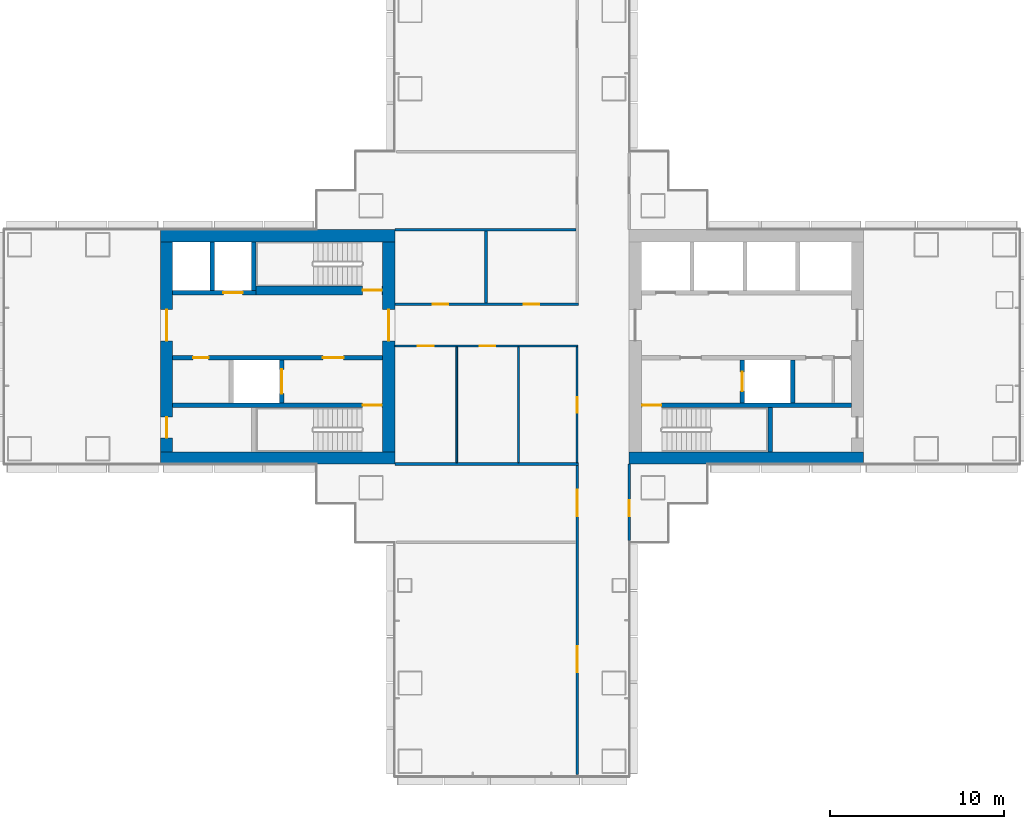
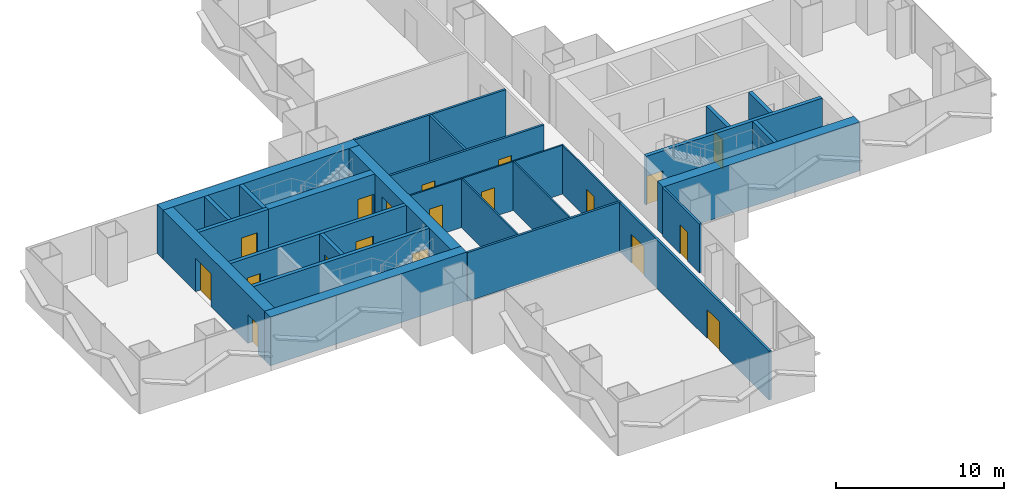
# One storey, part 13 of 21: 26 walls, 19 doors, 19 openings.
"""IFC4 building model written with IfcOpenShell, lengths in metres."""

from ifc_helpers import new_model, si_unit, direction, frame, frame_2d, origin, place, context, subcontext, project, spatial, rectangle, extrude, material, layer, layer_set, type_object, element, fill, save


model = new_model("IFC4")

# Units and contexts
model_context = context("Model", 3, precision=1e-05, world=origin(), true_north=direction((0.0, 1.0)))
body_context = subcontext(model_context, "Body", "Model", "MODEL_VIEW")
ifc_project = project(units=[si_unit("LENGTHUNIT", "METRE"), si_unit("AREAUNIT", "SQUARE_METRE"), si_unit("VOLUMEUNIT", "CUBIC_METRE"), si_unit("PLANEANGLEUNIT", "RADIAN"), si_unit("MASSUNIT", "GRAM", prefix="KILO")], contexts=[model_context])

# Site, building, storey
site_placement = place(None, origin())
site = spatial("IfcSite", under=ifc_project, at=site_placement, CompositionType="ELEMENT")
building_placement = place(site_placement, origin())
building = spatial("IfcBuilding", under=site, at=building_placement, Name="Shamsa Quay Exchange Towers", CompositionType="ELEMENT")
storey_placement = place(building_placement, frame((0.0, 0.0, 57.60009765625)))
storey = spatial("IfcBuildingStorey", under=building, at=storey_placement, Name="L12", CompositionType="ELEMENT", Elevation=57.60009765625)

# Walls
ifc_material_1 = material(Name="Concrete C80/95", Category="concrete")
ifc_layer_1 = layer(ifc_material_1, 0.699951171875)
ifc_layer_set_1 = layer_set([ifc_layer_1], Name="CORE WALL 700 C80/95")
wall_type_1 = type_object("IfcWallType", Name="CORE WALL 700 C80/95", PredefinedType="SHEAR", material=ifc_layer_set_1)
wall_1_placement = place(storey_placement, frame((-27.0, -6.39990234375, 0.0)))
element("IfcWall", 1, at=wall_1_placement, inside=storey, type_object=wall_type_1, Name="Core wall T1A-R05-PS", PredefinedType="SHEAR", context=body_context, shape_type="SweptSolid", body=[
    extrude(rectangle(XDim=13.5, YDim=0.699951171875, at=frame_2d((6.75, 0.0))), origin(), (0.0, 0.0, 1.0), 3.5498046875),
])
for number, where, z_axis, x_axis, name in (
    (2, (-40.5, -6.39990234375, 0.0), (0.0, 0.0, 1.0), (-1.0, 0.0, 0.0), "Core wall T1B-R05-PS"),
    (3, (-40.5, 6.39990234375, 0.0), (0.0, 0.0, 1.0), (-1.0, 0.0, 0.0), "Core wall T1B-R05-PN"),
):
    element("IfcWall", number, at=place(storey_placement, frame(where, z_axis=z_axis, x_axis=x_axis)), inside=storey, type_object=wall_type_1, Name=name, PredefinedType="SHEAR", context=body_context, shape_type="SweptSolid", body=[
        extrude(rectangle(XDim=13.5, YDim=0.699951171875, at=frame_2d((6.75, 0.0))), origin(), (0.0, 0.0, 1.0), 3.5498046875),
    ])

# Wall, opening, door
wall_2_placement = place(storey_placement, frame((-40.85009765625, -6.050048828125, 0.0), z_axis=(0.0, 0.0, 1.0), x_axis=(0.0, 1.0, 0.0)))
wall_2 = element("IfcWall", 4, at=wall_2_placement, inside=storey, type_object=wall_type_1, Name="Core wall T1B-R05-PF", PredefinedType="SHEAR", context=body_context, shape_type="SweptSolid", body=[
    extrude(rectangle(XDim=12.10009765625, YDim=0.699951171875, at=frame_2d((6.050048828125, 0.0))), origin(), (0.0, 0.0, 1.0), 3.5498046875),
])
opening_1_placement = place(wall_2_placement, frame((6.39990234375, 0.0, 0.0)))
opening_1 = element("IfcOpeningElement", 5, at=opening_1_placement, cuts=wall_2, Name="Opening T1B-R05-LBD01", PredefinedType="OPENING", context=body_context, shape_type="SweptSolid", body=[
    extrude(rectangle(XDim=1.800048828125, YDim=2.39990234375, at=frame_2d((0.89990234375, 1.199951171875))), frame((0.0, 0.35986328125, 0.0), z_axis=(0.0, -1.0, 0.0), x_axis=(1.0, 0.0, 0.0)), (0.0, 0.0, 1.0), 0.719970703125),
])
ifc_material_2 = material(Name="Steel, fire rated", Category="steel")
door_type_1 = type_object("IfcDoorType", Name="LIFT LOBBY DOOR PAIR 1800", OperationType="DOUBLE_DOOR_SINGLE_SWING", PredefinedType="DOOR", material=ifc_material_2)
door_1_placement = place(opening_1_placement, origin())
door_1 = element("IfcDoor", 6, at=door_1_placement, inside=storey, type_object=door_type_1, Name="T1B-R05-LBD01", OperationType="DOUBLE_DOOR_SINGLE_SWING", OverallHeight=2.39990234375, OverallWidth=1.800048828125, PredefinedType="DOOR", context=body_context, shape_type="SweptSolid", body=[
    extrude(rectangle(XDim=1.800048828125, YDim=2.39990234375, at=frame_2d((0.89990234375, 1.199951171875))), frame((0.0, 0.02490234375, 0.0), z_axis=(0.0, -1.0, 0.0), x_axis=(1.0, 0.0, 0.0)), (0.0, 0.0, 1.0), 0.050048828125),
])
fill(opening_1, door_1)

# Wall, openings, doors
wall_3_placement = place(storey_placement, frame((-53.64990234375, -6.050048828125, 0.0), z_axis=(0.0, 0.0, 1.0), x_axis=(0.0, 1.0, 0.0)))
wall_3 = element("IfcWall", 7, at=wall_3_placement, inside=storey, type_object=wall_type_1, Name="Core wall T1B-R05-PB", PredefinedType="SHEAR", context=body_context, shape_type="SweptSolid", body=[
    extrude(rectangle(XDim=12.10009765625, YDim=0.699951171875, at=frame_2d((6.050048828125, 0.0))), origin(), (0.0, 0.0, 1.0), 3.5498046875),
])
opening_2_placement = place(wall_3_placement, frame((0.800048828125, 0.0, 0.0)))
opening_2 = element("IfcOpeningElement", 8, at=opening_2_placement, cuts=wall_3, Name="Opening T1B-R05-RD02", PredefinedType="OPENING", context=body_context, shape_type="SweptSolid", body=[
    extrude(rectangle(XDim=1.199951171875, YDim=2.10009765625, at=frame_2d((0.60009765625, 1.050048828125))), frame((0.0, 0.35986328125, 0.0), z_axis=(0.0, -1.0, 0.0), x_axis=(1.0, 0.0, 0.0)), (0.0, 0.0, 1.0), 0.719970703125),
])
opening_3_placement = place(wall_3_placement, frame((6.39990234375, 0.0, 0.0)))
opening_3 = element("IfcOpeningElement", 9, at=opening_3_placement, cuts=wall_3, Name="Opening T1B-R05-LBD03", PredefinedType="OPENING", context=body_context, shape_type="SweptSolid", body=[
    extrude(rectangle(XDim=1.800048828125, YDim=2.39990234375, at=frame_2d((0.89990234375, 1.199951171875))), frame((0.0, 0.35986328125, 0.0), z_axis=(0.0, -1.0, 0.0), x_axis=(1.0, 0.0, 0.0)), (0.0, 0.0, 1.0), 0.719970703125),
])
door_2_placement = place(opening_3_placement, origin())
door_2 = element("IfcDoor", 10, at=door_2_placement, inside=storey, type_object=door_type_1, Name="T1B-R05-LBD03", OperationType="DOUBLE_DOOR_SINGLE_SWING", OverallHeight=2.39990234375, OverallWidth=1.800048828125, PredefinedType="DOOR", context=body_context, shape_type="SweptSolid", body=[
    extrude(rectangle(XDim=1.800048828125, YDim=2.39990234375, at=frame_2d((0.89990234375, 1.199951171875))), frame((0.0, 0.02490234375, 0.0), z_axis=(0.0, -1.0, 0.0), x_axis=(1.0, 0.0, 0.0)), (0.0, 0.0, 1.0), 0.050048828125),
])
fill(opening_3, door_2)
door_type_2 = type_object("IfcDoorType", Name="RISER ACCESS DOOR 1200", OperationType="SINGLE_SWING_LEFT", PredefinedType="DOOR", material=ifc_material_2)
door_3_placement = place(opening_2_placement, origin())
door_3 = element("IfcDoor", 11, at=door_3_placement, inside=storey, type_object=door_type_2, Name="T1B-R05-RD02", OperationType="SINGLE_SWING_LEFT", OverallHeight=2.10009765625, OverallWidth=1.199951171875, PredefinedType="DOOR", context=body_context, shape_type="SweptSolid", body=[
    extrude(rectangle(XDim=1.199951171875, YDim=2.10009765625, at=frame_2d((0.60009765625, 1.050048828125))), frame((0.0, 0.02490234375, 0.0), z_axis=(0.0, -1.0, 0.0), x_axis=(1.0, 0.0, 0.0)), (0.0, 0.0, 1.0), 0.050048828125),
])
fill(opening_2, door_3)

ifc_material_3 = material(Name="Gypsum board partition on metal studs")
ifc_layer_2 = layer(ifc_material_3, 0.10009765625)
ifc_layer_set_2 = layer_set([ifc_layer_2], Name="Partition 100 mm NOT RATED")
wall_type_2 = type_object("IfcWallType", Name="Partition 100 mm NOT RATED", PredefinedType="PARTITIONING", material=ifc_layer_set_2)
wall_4_placement = place(storey_placement, frame((-29.949951171875, 0.0498046875, 0.0), z_axis=(0.0, 0.0, 1.0), x_axis=(-1.0, 0.0, 0.0)))
wall_4 = element("IfcWall", 12, at=wall_4_placement, inside=storey, type_object=wall_type_2, Name="Partition T1-R05-W04", PredefinedType="PARTITIONING", context=body_context, shape_type="SweptSolid", body=[
    extrude(rectangle(XDim=10.550048828125, YDim=0.10009765625, at=frame_2d((5.27490234375, 0.0))), origin(), (0.0, 0.0, 1.0), 3.5498046875),
])
opening_4_placement = place(wall_4_placement, frame((4.756103515625, 0.0, 0.0)))
opening_4 = element("IfcOpeningElement", 13, at=opening_4_placement, cuts=wall_4, Name="Opening T1-R05-D06", PredefinedType="OPENING", context=body_context, shape_type="SweptSolid", body=[
    extrude(rectangle(XDim=0.89990234375, YDim=2.10009765625, at=frame_2d((0.449951171875, 1.050048828125))), frame((0.0, 0.06005859375, 0.0), z_axis=(0.0, -1.0, 0.0), x_axis=(1.0, 0.0, 0.0)), (0.0, 0.0, 1.0), 0.1201171875),
])
opening_5_placement = place(wall_4_placement, frame((8.31884765625, 0.0, 0.0)))
opening_5 = element("IfcOpeningElement", 14, at=opening_5_placement, cuts=wall_4, Name="Opening T1-R05-D07", PredefinedType="OPENING", context=body_context, shape_type="SweptSolid", body=[
    extrude(rectangle(XDim=0.89990234375, YDim=2.10009765625, at=frame_2d((0.449951171875, 1.050048828125))), frame((0.0, 0.06005859375, 0.0), z_axis=(0.0, -1.0, 0.0), x_axis=(1.0, 0.0, 0.0)), (0.0, 0.0, 1.0), 0.1201171875),
])
ifc_material_4 = material(Name="Timber door leaf in a metal frame", Category="wood")
door_type_3 = type_object("IfcDoorType", Name="Door 900x2100 NOT RATED", OperationType="NOTDEFINED", PredefinedType="DOOR", material=ifc_material_4)
door_4_placement = place(opening_4_placement, origin())
door_4 = element("IfcDoor", 15, at=door_4_placement, inside=storey, type_object=door_type_3, Name="Door T1-R05-D06", OperationType="SINGLE_SWING_LEFT", OverallHeight=2.10009765625, OverallWidth=0.89990234375, PredefinedType="DOOR", context=body_context, shape_type="SweptSolid", body=[
    extrude(rectangle(XDim=0.89990234375, YDim=2.10009765625, at=frame_2d((0.449951171875, 1.050048828125))), frame((0.0, 0.02490234375, 0.0), z_axis=(0.0, -1.0, 0.0), x_axis=(1.0, 0.0, 0.0)), (0.0, 0.0, 1.0), 0.050048828125),
])
fill(opening_4, door_4)
door_5_placement = place(opening_5_placement, origin())
door_5 = element("IfcDoor", 16, at=door_5_placement, inside=storey, type_object=door_type_3, Name="Door T1-R05-D07", OperationType="SINGLE_SWING_RIGHT", OverallHeight=2.10009765625, OverallWidth=0.89990234375, PredefinedType="DOOR", context=body_context, shape_type="SweptSolid", body=[
    extrude(rectangle(XDim=0.89990234375, YDim=2.10009765625, at=frame_2d((0.449951171875, 1.050048828125))), frame((0.0, 0.02490234375, 0.0), z_axis=(0.0, -1.0, 0.0), x_axis=(1.0, 0.0, 0.0)), (0.0, 0.0, 1.0), 0.050048828125),
])
fill(opening_5, door_5)

# Wall, opening, door
wall_5_placement = place(storey_placement, frame((-30.0, -6.675048828125, 0.0), z_axis=(0.0, 0.0, 1.0), x_axis=(0.0, 1.0, 0.0)))
wall_5 = element("IfcWall", 17, at=wall_5_placement, inside=storey, type_object=wall_type_2, Name="Partition T1-R05-W05", PredefinedType="PARTITIONING", context=body_context, shape_type="SweptSolid", body=[
    extrude(rectangle(XDim=6.6748046875, YDim=0.10009765625, at=frame_2d((3.33740234375, 0.0))), origin(), (0.0, 0.0, 1.0), 3.5498046875),
])
opening_6_placement = place(wall_5_placement, frame((2.875, 0.0, 0.0)))
opening_6 = element("IfcOpeningElement", 18, at=opening_6_placement, cuts=wall_5, Name="Opening T1-R05-D05", PredefinedType="OPENING", context=body_context, shape_type="SweptSolid", body=[
    extrude(rectangle(XDim=0.89990234375, YDim=2.10009765625, at=frame_2d((0.449951171875, 1.050048828125))), frame((0.0, 0.06005859375, 0.0), z_axis=(0.0, -1.0, 0.0), x_axis=(1.0, 0.0, 0.0)), (0.0, 0.0, 1.0), 0.1201171875),
])
door_6_placement = place(opening_6_placement, origin())
door_6 = element("IfcDoor", 19, at=door_6_placement, inside=storey, type_object=door_type_3, Name="Door T1-R05-D05", OperationType="SINGLE_SWING_RIGHT", OverallHeight=2.10009765625, OverallWidth=0.89990234375, PredefinedType="DOOR", context=body_context, shape_type="SweptSolid", body=[
    extrude(rectangle(XDim=0.89990234375, YDim=2.10009765625, at=frame_2d((0.449951171875, 1.050048828125))), frame((0.0, 0.02490234375, 0.0), z_axis=(0.0, -1.0, 0.0), x_axis=(1.0, 0.0, 0.0)), (0.0, 0.0, 1.0), 0.050048828125),
])
fill(opening_6, door_6)

# Walls
for number, where, z_axis, x_axis, name in (
    (20, (-36.9375, -6.675048828125, 0.0), (0.0, 0.0, 1.0), (0.0, 1.0, 0.0), "Partition T1-R05-W13"),
    (21, (-33.375, -6.675048828125, 0.0), (0.0, 0.0, 1.0), (0.0, 1.0, 0.0), "Partition T1-R05-W14"),
):
    element("IfcWall", number, at=place(storey_placement, frame(where, z_axis=z_axis, x_axis=x_axis)), inside=storey, type_object=wall_type_2, Name=name, PredefinedType="PARTITIONING", context=body_context, shape_type="SweptSolid", body=[
        extrude(rectangle(XDim=6.6748046875, YDim=0.10009765625, at=frame_2d((3.33740234375, 0.0))), origin(), (0.0, 0.0, 1.0), 3.5498046875),
    ])

# Wall, openings, doors
ifc_layer_3 = layer(ifc_material_3, 0.14990234375)
ifc_layer_set_3 = layer_set([ifc_layer_3], Name="Partition 150 mm EI 60")
wall_type_3 = type_object("IfcWallType", Name="Partition 150 mm EI 60", PredefinedType="PARTITIONING", material=ifc_layer_set_3)
wall_6_placement = place(storey_placement, frame((-30.0, -24.655029296875, 0.0), z_axis=(0.0, 0.0, 1.0), x_axis=(0.0, 1.0, 0.0)))
wall_6 = element("IfcWall", 22, at=wall_6_placement, inside=storey, type_object=wall_type_3, Name="Partition T1-R05-W01", PredefinedType="PARTITIONING", context=body_context, shape_type="SweptSolid", body=[
    extrude(rectangle(XDim=17.830078125, YDim=0.14990234375, at=frame_2d((8.9150390625, 0.0))), origin(), (0.0, 0.0, 1.0), 3.5498046875),
])
opening_7_placement = place(wall_6_placement, frame((5.905029296875, 0.0, 0.0)))
opening_7 = element("IfcOpeningElement", 23, at=opening_7_placement, cuts=wall_6, Name="Opening T1-R05-D03", PredefinedType="OPENING", context=body_context, shape_type="SweptSolid", body=[
    extrude(rectangle(XDim=1.5, YDim=2.10009765625, at=frame_2d((0.75, 1.050048828125))), frame((0.0, 0.0849609375, 0.0), z_axis=(0.0, -1.0, 0.0), x_axis=(1.0, 0.0, 0.0)), (0.0, 0.0, 1.0), 0.169921875),
])
opening_8_placement = place(wall_6_placement, frame((14.905029296875, 0.0, 0.0)))
opening_8 = element("IfcOpeningElement", 24, at=opening_8_placement, cuts=wall_6, Name="Opening T1-R05-D04", PredefinedType="OPENING", context=body_context, shape_type="SweptSolid", body=[
    extrude(rectangle(XDim=1.5, YDim=2.10009765625, at=frame_2d((0.75, 1.050048828125))), frame((0.0, 0.0849609375, 0.0), z_axis=(0.0, -1.0, 0.0), x_axis=(1.0, 0.0, 0.0)), (0.0, 0.0, 1.0), 0.169921875),
])
door_type_4 = type_object("IfcDoorType", Name="Door 1500x2100 FD30S pair", OperationType="NOTDEFINED", PredefinedType="DOOR", material=ifc_material_4)
door_7_placement = place(opening_7_placement, origin())
door_7 = element("IfcDoor", 25, at=door_7_placement, inside=storey, type_object=door_type_4, Name="Door T1-R05-D03", OperationType="DOUBLE_DOOR_SINGLE_SWING", OverallHeight=2.10009765625, OverallWidth=1.5, PredefinedType="DOOR", context=body_context, shape_type="SweptSolid", body=[
    extrude(rectangle(XDim=1.5, YDim=2.10009765625, at=frame_2d((0.75, 1.050048828125))), frame((0.0, 0.02490234375, 0.0), z_axis=(0.0, -1.0, 0.0), x_axis=(1.0, 0.0, 0.0)), (0.0, 0.0, 1.0), 0.050048828125),
])
fill(opening_7, door_7)
door_8_placement = place(opening_8_placement, origin())
door_8 = element("IfcDoor", 26, at=door_8_placement, inside=storey, type_object=door_type_4, Name="Door T1-R05-D04", OperationType="DOUBLE_DOOR_SINGLE_SWING", OverallHeight=2.10009765625, OverallWidth=1.5, PredefinedType="DOOR", context=body_context, shape_type="SweptSolid", body=[
    extrude(rectangle(XDim=1.5, YDim=2.10009765625, at=frame_2d((0.75, 1.050048828125))), frame((0.0, 0.02490234375, 0.0), z_axis=(0.0, -1.0, 0.0), x_axis=(1.0, 0.0, 0.0)), (0.0, 0.0, 1.0), 0.050048828125),
])
fill(opening_8, door_8)

wall_7_placement = place(storey_placement, frame((-40.5, 2.4501953125, 0.0)))
wall_7 = element("IfcWall", 27, at=wall_7_placement, inside=storey, type_object=wall_type_3, Name="Partition T1-R05-W03", PredefinedType="PARTITIONING", context=body_context, shape_type="SweptSolid", body=[
    extrude(rectangle(XDim=10.574951171875, YDim=0.14990234375, at=frame_2d((5.28759765625, 0.0))), origin(), (0.0, 0.0, 1.0), 3.5498046875),
])
opening_9_placement = place(wall_7_placement, frame((2.175048828125, 0.0, 0.0)))
opening_9 = element("IfcOpeningElement", 28, at=opening_9_placement, cuts=wall_7, Name="Opening T1-R05-D01", PredefinedType="OPENING", context=body_context, shape_type="SweptSolid", body=[
    extrude(rectangle(XDim=0.89990234375, YDim=2.10009765625, at=frame_2d((0.449951171875, 1.050048828125))), frame((0.0, 0.0849609375, 0.0), z_axis=(0.0, -1.0, 0.0), x_axis=(1.0, 0.0, 0.0)), (0.0, 0.0, 1.0), 0.169921875),
])
opening_10_placement = place(wall_7_placement, frame((7.425048828125, 0.0, 0.0)))
opening_10 = element("IfcOpeningElement", 29, at=opening_10_placement, cuts=wall_7, Name="Opening T1-R05-D02", PredefinedType="OPENING", context=body_context, shape_type="SweptSolid", body=[
    extrude(rectangle(XDim=0.89990234375, YDim=2.10009765625, at=frame_2d((0.449951171875, 1.050048828125))), frame((0.0, 0.0849609375, 0.0), z_axis=(0.0, -1.0, 0.0), x_axis=(1.0, 0.0, 0.0)), (0.0, 0.0, 1.0), 0.169921875),
])
door_type_5 = type_object("IfcDoorType", Name="Door 900x2100 FD30S", OperationType="NOTDEFINED", PredefinedType="DOOR", material=ifc_material_4)
door_9_placement = place(opening_9_placement, origin())
door_9 = element("IfcDoor", 30, at=door_9_placement, inside=storey, type_object=door_type_5, Name="Door T1-R05-D01", OperationType="SINGLE_SWING_LEFT", OverallHeight=2.10009765625, OverallWidth=0.89990234375, PredefinedType="DOOR", context=body_context, shape_type="SweptSolid", body=[
    extrude(rectangle(XDim=0.89990234375, YDim=2.10009765625, at=frame_2d((0.449951171875, 1.050048828125))), frame((0.0, 0.02490234375, 0.0), z_axis=(0.0, -1.0, 0.0), x_axis=(1.0, 0.0, 0.0)), (0.0, 0.0, 1.0), 0.050048828125),
])
fill(opening_9, door_9)
door_10_placement = place(opening_10_placement, origin())
door_10 = element("IfcDoor", 31, at=door_10_placement, inside=storey, type_object=door_type_5, Name="Door T1-R05-D02", OperationType="SINGLE_SWING_RIGHT", OverallHeight=2.10009765625, OverallWidth=0.89990234375, PredefinedType="DOOR", context=body_context, shape_type="SweptSolid", body=[
    extrude(rectangle(XDim=0.89990234375, YDim=2.10009765625, at=frame_2d((0.449951171875, 1.050048828125))), frame((0.0, 0.02490234375, 0.0), z_axis=(0.0, -1.0, 0.0), x_axis=(1.0, 0.0, 0.0)), (0.0, 0.0, 1.0), 0.050048828125),
])
fill(opening_10, door_10)

# Wall, opening, door
wall_8_placement = place(storey_placement, frame((-27.0, -6.75, 0.0), z_axis=(0.0, 0.0, 1.0), x_axis=(0.0, -1.0, 0.0)))
wall_8 = element("IfcWall", 32, at=wall_8_placement, inside=storey, type_object=wall_type_3, Name="Partition T1-R05-W07", PredefinedType="PARTITIONING", context=body_context, shape_type="SweptSolid", body=[
    extrude(rectangle(XDim=4.405029296875, YDim=0.14990234375, at=frame_2d((2.20263671875, 0.0))), origin(), (0.0, 0.0, 1.0), 3.5498046875),
])
opening_11_placement = place(wall_8_placement, frame((2.10009765625, 0.0, 0.0)))
opening_11 = element("IfcOpeningElement", 33, at=opening_11_placement, cuts=wall_8, Name="Opening T1-R05-D10", PredefinedType="OPENING", context=body_context, shape_type="SweptSolid", body=[
    extrude(rectangle(XDim=0.89990234375, YDim=2.10009765625, at=frame_2d((0.449951171875, 1.050048828125))), frame((0.0, 0.0849609375, 0.0), z_axis=(0.0, -1.0, 0.0), x_axis=(1.0, 0.0, 0.0)), (0.0, 0.0, 1.0), 0.169921875),
])
door_11_placement = place(opening_11_placement, origin())
door_11 = element("IfcDoor", 34, at=door_11_placement, inside=storey, type_object=door_type_5, Name="Door T1-R05-D10", OperationType="SINGLE_SWING_RIGHT", OverallHeight=2.10009765625, OverallWidth=0.89990234375, PredefinedType="DOOR", context=body_context, shape_type="SweptSolid", body=[
    extrude(rectangle(XDim=0.89990234375, YDim=2.10009765625, at=frame_2d((0.449951171875, 1.050048828125))), frame((0.0, 0.02490234375, 0.0), z_axis=(0.0, -1.0, 0.0), x_axis=(1.0, 0.0, 0.0)), (0.0, 0.0, 1.0), 0.050048828125),
])
fill(opening_11, door_11)

# Walls
wall_9_placement = place(storey_placement, frame((-40.5, 6.75, 0.0)))
element("IfcWall", 35, at=wall_9_placement, inside=storey, type_object=wall_type_3, Name="Partition T1-R05-W09", PredefinedType="PARTITIONING", context=body_context, shape_type="SweptSolid", body=[
    extrude(rectangle(XDim=10.425048828125, YDim=0.14990234375, at=frame_2d((5.21240234375, 0.0))), origin(), (0.0, 0.0, 1.0), 3.5498046875),
])
wall_10_placement = place(storey_placement, frame((-35.25, 2.525146484375, 0.0), z_axis=(0.0, 0.0, 1.0), x_axis=(0.0, 1.0, 0.0)))
element("IfcWall", 36, at=wall_10_placement, inside=storey, type_object=wall_type_3, Name="Partition T1-R05-W10", PredefinedType="PARTITIONING", context=body_context, shape_type="SweptSolid", body=[
    extrude(rectangle(XDim=4.14990234375, YDim=0.14990234375, at=frame_2d((2.074951171875, 0.0))), origin(), (0.0, 0.0, 1.0), 3.5498046875),
])
wall_11_placement = place(storey_placement, frame((-29.925048828125, -6.75, 0.0), z_axis=(0.0, 0.0, 1.0), x_axis=(-1.0, 0.0, 0.0)))
element("IfcWall", 37, at=wall_11_placement, inside=storey, type_object=wall_type_3, Name="Partition T1-R05-W12", PredefinedType="PARTITIONING", context=body_context, shape_type="SweptSolid", body=[
    extrude(rectangle(XDim=10.574951171875, YDim=0.14990234375, at=frame_2d((5.28759765625, 0.0))), origin(), (0.0, 0.0, 1.0), 3.5498046875),
])

# Wall, opening, door
ifc_material_5 = material(Name="Concrete C50/60", Category="concrete")
ifc_layer_4 = layer(ifc_material_5, 0.25)
ifc_layer_set_4 = layer_set([ifc_layer_4], Name="SHAFT WALL 250 C50/60")
wall_type_4 = type_object("IfcWallType", Name="SHAFT WALL 250 C50/60", PredefinedType="SHEAR", material=ifc_layer_set_4)
wall_12_placement = place(storey_placement, frame((-14.199951171875, -3.375, 0.0), z_axis=(0.0, 0.0, 1.0), x_axis=(-1.0, 0.0, 0.0)))
wall_12 = element("IfcWall", 38, at=wall_12_placement, inside=storey, type_object=wall_type_4, Name="Shaft wall T1A-R05-STL", PredefinedType="SHEAR", context=body_context, shape_type="SweptSolid", body=[
    extrude(rectangle(XDim=12.10009765625, YDim=0.25, at=frame_2d((6.050048828125, 0.0))), origin(), (0.0, 0.0, 1.0), 3.5498046875),
])
opening_12_placement = place(wall_12_placement, frame((10.949951171875, 0.0, 0.0)))
opening_12 = element("IfcOpeningElement", 39, at=opening_12_placement, cuts=wall_12, Name="Opening T1A-R05-SD04", PredefinedType="OPENING", context=body_context, shape_type="SweptSolid", body=[
    extrude(rectangle(XDim=1.10009765625, YDim=2.10009765625, at=frame_2d((0.550048828125, 1.050048828125))), frame((0.0, 0.135009765625, 0.0), z_axis=(0.0, -1.0, 0.0), x_axis=(1.0, 0.0, 0.0)), (0.0, 0.0, 1.0), 0.27001953125),
])
door_type_6 = type_object("IfcDoorType", Name="STAIR DOOR 1100", OperationType="SINGLE_SWING_LEFT", PredefinedType="DOOR", material=ifc_material_2)
door_12_placement = place(opening_12_placement, origin())
door_12 = element("IfcDoor", 40, at=door_12_placement, inside=storey, type_object=door_type_6, Name="T1A-R05-SD04", OperationType="SINGLE_SWING_RIGHT", OverallHeight=2.10009765625, OverallWidth=1.10009765625, PredefinedType="DOOR", context=body_context, shape_type="SweptSolid", body=[
    extrude(rectangle(XDim=1.10009765625, YDim=2.10009765625, at=frame_2d((0.550048828125, 1.050048828125))), frame((0.0, 0.02490234375, 0.0), z_axis=(0.0, -1.0, 0.0), x_axis=(1.0, 0.0, 0.0)), (0.0, 0.0, 1.0), 0.050048828125),
])
fill(opening_12, door_12)

# Wall
wall_13_placement = place(storey_placement, frame((-18.875, -6.050048828125, 0.0), z_axis=(0.0, 0.0, 1.0), x_axis=(0.0, 1.0, 0.0)))
element("IfcWall", 41, at=wall_13_placement, inside=storey, type_object=wall_type_4, Name="Shaft wall T1A-R05-STF", PredefinedType="SHEAR", context=body_context, shape_type="SweptSolid", body=[
    extrude(rectangle(XDim=2.550048828125, YDim=0.25, at=frame_2d((1.27490234375, 0.0))), origin(), (0.0, 0.0, 1.0), 3.5498046875),
])

# Wall, opening, door
wall_14_placement = place(storey_placement, frame((-20.47509765625, -3.25, 0.0), z_axis=(0.0, 0.0, 1.0), x_axis=(0.0, 1.0, 0.0)))
wall_14 = element("IfcWall", 42, at=wall_14_placement, inside=storey, type_object=wall_type_4, Name="Shaft wall T1A-R05-FFF", PredefinedType="SHEAR", context=body_context, shape_type="SweptSolid", body=[
    extrude(rectangle(XDim=2.5, YDim=0.25, at=frame_2d((1.25, 0.0))), origin(), (0.0, 0.0, 1.0), 3.5498046875),
])
opening_13_placement = place(wall_14_placement, frame((0.699951171875, 0.0, 0.0)))
opening_13 = element("IfcOpeningElement", 43, at=opening_13_placement, cuts=wall_14, Name="Opening T1A-R05-LDF08", PredefinedType="OPENING", context=body_context, shape_type="SweptSolid", body=[
    extrude(rectangle(XDim=1.10009765625, YDim=2.10009765625, at=frame_2d((0.550048828125, 1.050048828125))), frame((0.0, 0.135009765625, 0.0), z_axis=(0.0, -1.0, 0.0), x_axis=(1.0, 0.0, 0.0)), (0.0, 0.0, 1.0), 0.27001953125),
])
door_type_7 = type_object("IfcDoorType", Name="FIRE SERVICE LANDING DOOR 1100", OperationType="SLIDING_TO_LEFT", PredefinedType="DOOR", material=ifc_material_2)
door_13_placement = place(opening_13_placement, origin())
door_13 = element("IfcDoor", 44, at=door_13_placement, inside=storey, type_object=door_type_7, Name="T1A-R05-LDF08", OperationType="SLIDING_TO_LEFT", OverallHeight=2.10009765625, OverallWidth=1.10009765625, PredefinedType="DOOR", context=body_context, shape_type="SweptSolid", body=[
    extrude(rectangle(XDim=1.10009765625, YDim=2.10009765625, at=frame_2d((0.550048828125, 1.050048828125))), frame((0.0, 0.02490234375, 0.0), z_axis=(0.0, -1.0, 0.0), x_axis=(1.0, 0.0, 0.0)), (0.0, 0.0, 1.0), 0.050048828125),
])
fill(opening_13, door_13)

# Wall
wall_15_placement = place(storey_placement, frame((-17.574951171875, -3.25, 0.0), z_axis=(0.0, 0.0, 1.0), x_axis=(0.0, 1.0, 0.0)))
element("IfcWall", 45, at=wall_15_placement, inside=storey, type_object=wall_type_4, Name="Shaft wall T1A-R05-FFB", PredefinedType="SHEAR", context=body_context, shape_type="SweptSolid", body=[
    extrude(rectangle(XDim=2.5, YDim=0.25, at=frame_2d((1.25, 0.0))), origin(), (0.0, 0.0, 1.0), 3.5498046875),
])

# Wall, opening, door
wall_16_placement = place(storey_placement, frame((-41.199951171875, -3.375, 0.0), z_axis=(0.0, 0.0, 1.0), x_axis=(-1.0, 0.0, 0.0)))
wall_16 = element("IfcWall", 46, at=wall_16_placement, inside=storey, type_object=wall_type_4, Name="Shaft wall T1B-R05-STL", PredefinedType="SHEAR", context=body_context, shape_type="SweptSolid", body=[
    extrude(rectangle(XDim=12.10009765625, YDim=0.25, at=frame_2d((6.050048828125, 0.0))), origin(), (0.0, 0.0, 1.0), 3.5498046875),
])
opening_14_placement = place(wall_16_placement, frame((0.050048828125, 0.0, 0.0)))
opening_14 = element("IfcOpeningElement", 47, at=opening_14_placement, cuts=wall_16, Name="Opening T1B-R05-SD04", PredefinedType="OPENING", context=body_context, shape_type="SweptSolid", body=[
    extrude(rectangle(XDim=1.10009765625, YDim=2.10009765625, at=frame_2d((0.550048828125, 1.050048828125))), frame((0.0, 0.135009765625, 0.0), z_axis=(0.0, -1.0, 0.0), x_axis=(1.0, 0.0, 0.0)), (0.0, 0.0, 1.0), 0.27001953125),
])
door_14_placement = place(opening_14_placement, origin())
door_14 = element("IfcDoor", 48, at=door_14_placement, inside=storey, type_object=door_type_6, Name="T1B-R05-SD04", OperationType="SINGLE_SWING_LEFT", OverallHeight=2.10009765625, OverallWidth=1.10009765625, PredefinedType="DOOR", context=body_context, shape_type="SweptSolid", body=[
    extrude(rectangle(XDim=1.10009765625, YDim=2.10009765625, at=frame_2d((0.550048828125, 1.050048828125))), frame((0.0, 0.02490234375, 0.0), z_axis=(0.0, -1.0, 0.0), x_axis=(1.0, 0.0, 0.0)), (0.0, 0.0, 1.0), 0.050048828125),
])
fill(opening_14, door_14)

# Wall, openings, doors
wall_17_placement = place(storey_placement, frame((-41.199951171875, -0.625, 0.0), z_axis=(0.0, 0.0, 1.0), x_axis=(-1.0, 0.0, 0.0)))
wall_17 = element("IfcWall", 49, at=wall_17_placement, inside=storey, type_object=wall_type_4, Name="Shaft wall T1B-R05-B", PredefinedType="SHEAR", context=body_context, shape_type="SweptSolid", body=[
    extrude(rectangle(XDim=12.10009765625, YDim=0.25, at=frame_2d((6.050048828125, 0.0))), origin(), (0.0, 0.0, 1.0), 3.5498046875),
])
opening_15_placement = place(wall_17_placement, frame((2.25, 0.0, 0.0)))
opening_15 = element("IfcOpeningElement", 50, at=opening_15_placement, cuts=wall_17, Name="Opening T1B-R05-FD05", PredefinedType="OPENING", context=body_context, shape_type="SweptSolid", body=[
    extrude(rectangle(XDim=1.199951171875, YDim=2.10009765625, at=frame_2d((0.60009765625, 1.050048828125))), frame((0.0, 0.135009765625, 0.0), z_axis=(0.0, -1.0, 0.0), x_axis=(1.0, 0.0, 0.0)), (0.0, 0.0, 1.0), 0.27001953125),
])
opening_16_placement = place(wall_17_placement, frame((10.02490234375, 0.0, 0.0)))
opening_16 = element("IfcOpeningElement", 51, at=opening_16_placement, cuts=wall_17, Name="Opening T1B-R05-SV06", PredefinedType="OPENING", context=body_context, shape_type="SweptSolid", body=[
    extrude(rectangle(XDim=0.89990234375, YDim=2.10009765625, at=frame_2d((0.449951171875, 1.050048828125))), frame((0.0, 0.135009765625, 0.0), z_axis=(0.0, -1.0, 0.0), x_axis=(1.0, 0.0, 0.0)), (0.0, 0.0, 1.0), 0.27001953125),
])
door_type_8 = type_object("IfcDoorType", Name="FIRE SERVICE LOBBY DOOR 1200", OperationType="SINGLE_SWING_LEFT", PredefinedType="DOOR", material=ifc_material_2)
door_15_placement = place(opening_15_placement, origin())
door_15 = element("IfcDoor", 52, at=door_15_placement, inside=storey, type_object=door_type_8, Name="T1B-R05-FD05", OperationType="SINGLE_SWING_LEFT", OverallHeight=2.10009765625, OverallWidth=1.199951171875, PredefinedType="DOOR", context=body_context, shape_type="SweptSolid", body=[
    extrude(rectangle(XDim=1.199951171875, YDim=2.10009765625, at=frame_2d((0.60009765625, 1.050048828125))), frame((0.0, 0.02490234375, 0.0), z_axis=(0.0, -1.0, 0.0), x_axis=(1.0, 0.0, 0.0)), (0.0, 0.0, 1.0), 0.050048828125),
])
fill(opening_15, door_15)
door_type_9 = type_object("IfcDoorType", Name="SERVICE ROOM DOOR 900", OperationType="SINGLE_SWING_LEFT", PredefinedType="DOOR", material=ifc_material_2)
door_16_placement = place(opening_16_placement, origin())
door_16 = element("IfcDoor", 53, at=door_16_placement, inside=storey, type_object=door_type_9, Name="T1B-R05-SV06", OperationType="SINGLE_SWING_RIGHT", OverallHeight=2.10009765625, OverallWidth=0.89990234375, PredefinedType="DOOR", context=body_context, shape_type="SweptSolid", body=[
    extrude(rectangle(XDim=0.89990234375, YDim=2.10009765625, at=frame_2d((0.449951171875, 1.050048828125))), frame((0.0, 0.02490234375, 0.0), z_axis=(0.0, -1.0, 0.0), x_axis=(1.0, 0.0, 0.0)), (0.0, 0.0, 1.0), 0.050048828125),
])
fill(opening_16, door_16)

# Wall, opening, door
wall_18_placement = place(storey_placement, frame((-47.02490234375, -3.25, 0.0), z_axis=(0.0, 0.0, 1.0), x_axis=(0.0, 1.0, 0.0)))
wall_18 = element("IfcWall", 54, at=wall_18_placement, inside=storey, type_object=wall_type_4, Name="Shaft wall T1B-R05-FFF", PredefinedType="SHEAR", context=body_context, shape_type="SweptSolid", body=[
    extrude(rectangle(XDim=2.5, YDim=0.25, at=frame_2d((1.25, 0.0))), origin(), (0.0, 0.0, 1.0), 3.5498046875),
])
opening_17_placement = place(wall_18_placement, frame((0.550048828125, 0.0, 0.0)))
opening_17 = element("IfcOpeningElement", 55, at=opening_17_placement, cuts=wall_18, Name="Opening T1B-R05-LDG07", PredefinedType="OPENING", context=body_context, shape_type="SweptSolid", body=[
    extrude(rectangle(XDim=1.39990234375, YDim=2.39990234375, at=frame_2d((0.699951171875, 1.199951171875))), frame((0.0, 0.135009765625, 0.0), z_axis=(0.0, -1.0, 0.0), x_axis=(1.0, 0.0, 0.0)), (0.0, 0.0, 1.0), 0.27001953125),
])
door_type_10 = type_object("IfcDoorType", Name="GOODS LIFT LANDING DOOR 1400", OperationType="SLIDING_TO_LEFT", PredefinedType="DOOR", material=ifc_material_2)
door_17_placement = place(opening_17_placement, origin())
door_17 = element("IfcDoor", 56, at=door_17_placement, inside=storey, type_object=door_type_10, Name="T1B-R05-LDG07", OperationType="SLIDING_TO_LEFT", OverallHeight=2.39990234375, OverallWidth=1.39990234375, PredefinedType="DOOR", context=body_context, shape_type="SweptSolid", body=[
    extrude(rectangle(XDim=1.39990234375, YDim=2.39990234375, at=frame_2d((0.699951171875, 1.199951171875))), frame((0.0, 0.02490234375, 0.0), z_axis=(0.0, -1.0, 0.0), x_axis=(1.0, 0.0, 0.0)), (0.0, 0.0, 1.0), 0.050048828125),
])
fill(opening_17, door_17)

wall_19_placement = place(storey_placement, frame((-48.5, 3.125, 0.0), z_axis=(0.0, 0.0, 1.0), x_axis=(-1.0, 0.0, 0.0)))
wall_19 = element("IfcWall", 57, at=wall_19_placement, inside=storey, type_object=wall_type_4, Name="Shaft wall T1B-R05-N2", PredefinedType="SHEAR", context=body_context, shape_type="SweptSolid", body=[
    extrude(rectangle(XDim=4.800048828125, YDim=0.25, at=frame_2d((2.39990234375, 0.0))), origin(), (0.0, 0.0, 1.0), 3.5498046875),
])
opening_18_placement = place(wall_19_placement, frame((0.77490234375, 0.0, 0.0)))
opening_18 = element("IfcOpeningElement", 58, at=opening_18_placement, cuts=wall_19, Name="Opening T1B-R05-LD09", PredefinedType="OPENING", context=body_context, shape_type="SweptSolid", body=[
    extrude(rectangle(XDim=1.10009765625, YDim=2.10009765625, at=frame_2d((0.550048828125, 1.050048828125))), frame((0.0, 0.135009765625, 0.0), z_axis=(0.0, -1.0, 0.0), x_axis=(1.0, 0.0, 0.0)), (0.0, 0.0, 1.0), 0.27001953125),
])
door_type_11 = type_object("IfcDoorType", Name="LANDING DOOR 1100", OperationType="SLIDING_TO_LEFT", PredefinedType="DOOR", material=ifc_material_2)
door_18_placement = place(opening_18_placement, origin())
door_18 = element("IfcDoor", 59, at=door_18_placement, inside=storey, type_object=door_type_11, Name="T1B-R05-LD09", OperationType="SLIDING_TO_LEFT", OverallHeight=2.10009765625, OverallWidth=1.10009765625, PredefinedType="DOOR", context=body_context, shape_type="SweptSolid", body=[
    extrude(rectangle(XDim=1.10009765625, YDim=2.10009765625, at=frame_2d((0.550048828125, 1.050048828125))), frame((0.0, 0.02490234375, 0.0), z_axis=(0.0, -1.0, 0.0), x_axis=(1.0, 0.0, 0.0)), (0.0, 0.0, 1.0), 0.050048828125),
])
fill(opening_18, door_18)

# Walls
for number, where, z_axis, x_axis, name in (
    (60, (-48.625, 3.25, 0.0), (0.0, 0.0, 1.0), (0.0, 1.0, 0.0), "Shaft wall T1B-R05-STF2"),
    (61, (-51.02490234375, 3.25, 0.0), (0.0, 0.0, 1.0), (0.0, 1.0, 0.0), "Shaft wall T1B-R05-D0"),
):
    element("IfcWall", number, at=place(storey_placement, frame(where, z_axis=z_axis, x_axis=x_axis)), inside=storey, type_object=wall_type_4, Name=name, PredefinedType="SHEAR", context=body_context, shape_type="SweptSolid", body=[
        extrude(rectangle(XDim=2.800048828125, YDim=0.25, at=frame_2d((1.39990234375, 0.0))), origin(), (0.0, 0.0, 1.0), 3.5498046875),
    ])

# Wall, opening, door
ifc_layer_5 = layer(ifc_material_5, 0.5)
ifc_layer_set_5 = layer_set([ifc_layer_5], Name="SHAFT WALL 500 C50/60")
wall_type_5 = type_object("IfcWallType", Name="SHAFT WALL 500 C50/60", PredefinedType="SHEAR", material=ifc_layer_set_5)
wall_20_placement = place(storey_placement, frame((-48.5, 3.25, 0.0)))
wall_20 = element("IfcWall", 62, at=wall_20_placement, inside=storey, type_object=wall_type_5, Name="Shaft wall T1B-R05-N", PredefinedType="SHEAR", context=body_context, shape_type="SweptSolid", body=[
    extrude(rectangle(XDim=7.300048828125, YDim=0.5, at=frame_2d((3.64990234375, 0.0))), origin(), (0.0, 0.0, 1.0), 3.5498046875),
])
opening_19_placement = place(wall_20_placement, frame((6.14990234375, 0.0, 0.0)))
opening_19 = element("IfcOpeningElement", 63, at=opening_19_placement, cuts=wall_20, Name="Opening T1B-R05-SD08", PredefinedType="OPENING", context=body_context, shape_type="SweptSolid", body=[
    extrude(rectangle(XDim=1.10009765625, YDim=2.10009765625, at=frame_2d((0.550048828125, 1.050048828125))), frame((0.0, 0.260009765625, 0.0), z_axis=(0.0, -1.0, 0.0), x_axis=(1.0, 0.0, 0.0)), (0.0, 0.0, 1.0), 0.52001953125),
])
door_19_placement = place(opening_19_placement, origin())
door_19 = element("IfcDoor", 64, at=door_19_placement, inside=storey, type_object=door_type_6, Name="T1B-R05-SD08", OperationType="SINGLE_SWING_RIGHT", OverallHeight=2.10009765625, OverallWidth=1.10009765625, PredefinedType="DOOR", context=body_context, shape_type="SweptSolid", body=[
    extrude(rectangle(XDim=1.10009765625, YDim=2.10009765625, at=frame_2d((0.550048828125, 1.050048828125))), frame((0.0, 0.02490234375, 0.0), z_axis=(0.0, -1.0, 0.0), x_axis=(1.0, 0.0, 0.0)), (0.0, 0.0, 1.0), 0.050048828125),
])
fill(opening_19, door_19)

save(model, "model.ifc")
